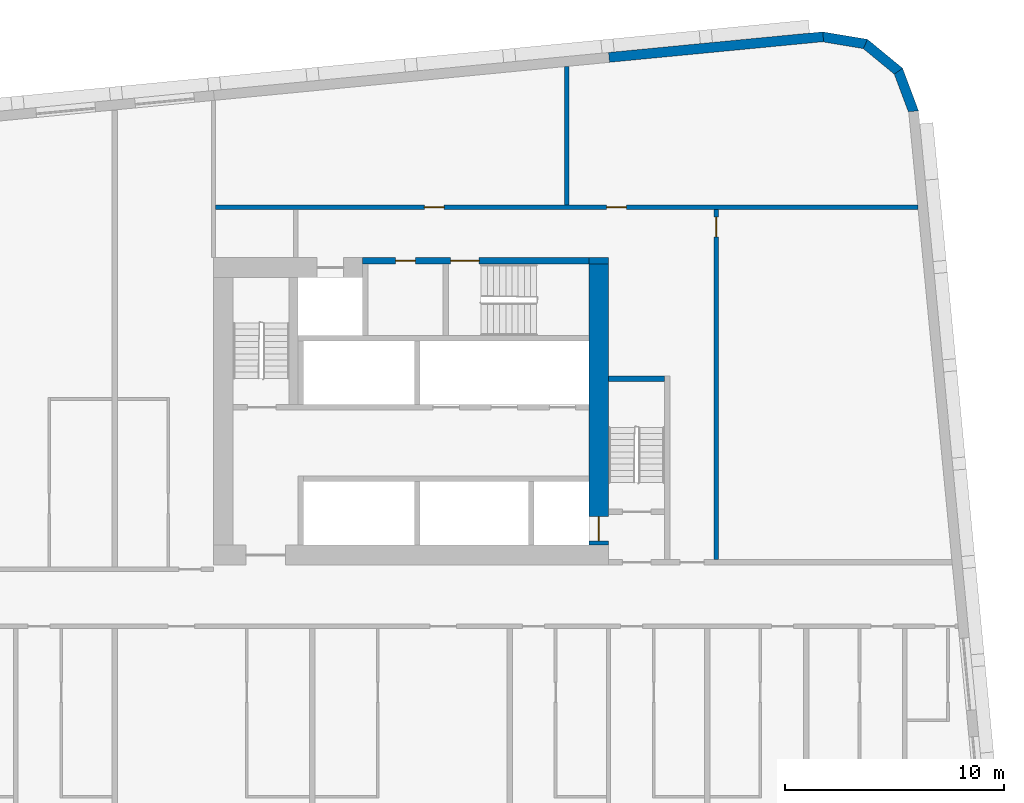
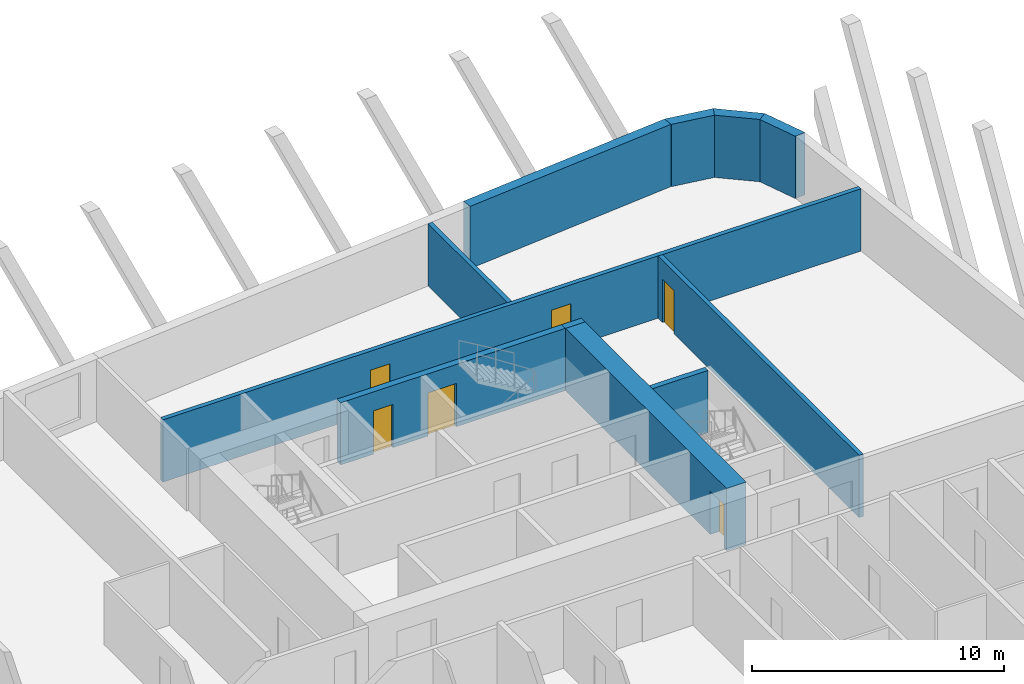
# One storey, part 8 of 13: 11 walls, 6 doors, 6 openings.
"""IFC4 building model written with IfcOpenShell, lengths in metres."""

from ifc_helpers import new_model, si_unit, direction, frame, frame_2d, origin, place, context, subcontext, project, spatial, polyline, rectangle, outline, extrude, material, layer, layer_set, type_object, element, fill, save


model = new_model("IFC4")

# Units and contexts
model_context = context("Model", 3, precision=1e-05, world=origin(), true_north=direction((0.0, 1.0)))
body_context = subcontext(model_context, "Body", "Model", "MODEL_VIEW")
ifc_project = project(units=[si_unit("LENGTHUNIT", "METRE"), si_unit("AREAUNIT", "SQUARE_METRE"), si_unit("VOLUMEUNIT", "CUBIC_METRE"), si_unit("PLANEANGLEUNIT", "RADIAN"), si_unit("MASSUNIT", "GRAM", prefix="KILO")], contexts=[model_context])

# Site, building, storey
site_placement = place(None, origin())
site = spatial("IfcSite", under=ifc_project, at=site_placement, CompositionType="ELEMENT")
building_placement = place(site_placement, origin())
building = spatial("IfcBuilding", under=site, at=building_placement, Name="Kajstack Hotel Tower", CompositionType="ELEMENT")
storey_placement = place(building_placement, frame((0.0, 0.0, 130.60009765625)))
storey = spatial("IfcBuildingStorey", under=building, at=storey_placement, Name="L29", CompositionType="ELEMENT", Elevation=130.60009765625)

# Wall
ifc_material_1 = material(Name="Concrete C60/75", Category="concrete")
ifc_layer_1 = layer(ifc_material_1, 0.89990234375)
ifc_layer_set_1 = layer_set([ifc_layer_1], Name="Core wall 900")
wall_type_1 = type_object("IfcWallType", Name="Core wall 900", PredefinedType="SHEAR", material=ifc_layer_set_1)
wall_1_placement = place(storey_placement, frame((30.60009765625, 15.35009765625, 0.0), z_axis=(0.0, 0.0, 1.0), x_axis=(1.0, 0.0, 0.0)))
element("IfcWall", 1, at=wall_1_placement, inside=storey, type_object=wall_type_1, Name="Core wall E RSW", PredefinedType="SHEAR", context=body_context, shape_type="SweptSolid", body=[
    extrude(rectangle(XDim=0.89990234375, YDim=0.300048828125, at=frame_2d((0.449951171875, 0.0))), origin(), (0.0, 0.0, 1.0), 3.02001953125),
])

# Wall, opening, door
wall_2_placement = place(storey_placement, frame((31.050048828125, 2.39990234375, 0.0), z_axis=(0.0, 0.0, 1.0), x_axis=(0.0, 1.0, 0.0)))
wall_2 = element("IfcWall", 2, at=wall_2_placement, inside=storey, type_object=wall_type_1, Name="Core wall E RW", PredefinedType="SHEAR", context=body_context, shape_type="SweptSolid", body=[
    extrude(rectangle(XDim=12.800048828125, YDim=0.89990234375, at=frame_2d((6.39990234375, 0.0))), origin(), (0.0, 0.0, 1.0), 3.02001953125),
])
opening_1_placement = place(wall_2_placement, frame((0.199951171875, 0.0, 0.0)))
opening_1 = element("IfcOpeningElement", 3, at=opening_1_placement, cuts=wall_2, Name="Opening LD-FF2", PredefinedType="OPENING", context=body_context, shape_type="SweptSolid", body=[
    extrude(rectangle(XDim=1.10009765625, YDim=2.10009765625, at=frame_2d((0.550048828125, 1.050048828125))), frame((0.0, 0.4599609375, 0.0), z_axis=(0.0, -1.0, 0.0), x_axis=(1.0, 0.0, 0.0)), (0.0, 0.0, 1.0), 0.919921875),
])
ifc_material_2 = material(Name="Stainless steel", Category="steel")
door_type_1 = type_object("IfcDoorType", Name="Fire-fighting lift landing door 1100", OperationType="SLIDING_TO_LEFT", PredefinedType="DOOR", material=ifc_material_2)
door_1_placement = place(opening_1_placement, origin())
door_1 = element("IfcDoor", 4, at=door_1_placement, inside=storey, type_object=door_type_1, Name="Landing door FF2", OperationType="SLIDING_TO_LEFT", OverallHeight=2.10009765625, OverallWidth=1.10009765625, PredefinedType="DOOR", context=body_context, shape_type="SweptSolid", body=[
    extrude(rectangle(XDim=1.10009765625, YDim=2.10009765625, at=frame_2d((0.550048828125, 1.050048828125))), frame((0.0, 0.02490234375, 0.0), z_axis=(0.0, -1.0, 0.0), x_axis=(1.0, 0.0, 0.0)), (0.0, 0.0, 1.0), 0.050048828125),
])
fill(opening_1, door_1)

# Walls
ifc_material_3 = material(Name="Terracotta-faced brick masonry", Category="masonry")
ifc_layer_2 = layer(ifc_material_3, 0.449951171875)
ifc_layer_set_2 = layer_set([ifc_layer_2], Name="EW-TERRA")
wall_type_2 = type_object("IfcWallType", Name="EW-TERRA", PredefinedType="SOLIDWALL", material=ifc_layer_set_2)
wall_3_placement = place(storey_placement, frame((45.41162109375, 22.10986328125, 0.0), z_axis=(0.0, 0.0, 1.0), x_axis=(-0.350192909346, 0.936677599948, 0.0)))
element("IfcWall", 5, at=wall_3_placement, inside=storey, type_object=wall_type_2, Name="E-wall-L29-09-00", PredefinedType="SOLIDWALL", context=body_context, shape_type="SweptSolid", body=[
    extrude(outline(polyline([(0.0, -0.22509765625), (2.070556640625, -0.22509765625), (1.949951171875, 0.224853515625), (0.12060546875, 0.224853515625), (0.0, -0.22509765625)])), origin(), (0.0, 0.0, 1.0), 3.02001953125),
])
wall_4_placement = place(storey_placement, frame((44.754150390625, 23.95458984375, 0.0), z_axis=(0.0, 0.0, 1.0), x_axis=(-0.771651049663, 0.636046112757, 0.0)))
element("IfcWall", 6, at=wall_4_placement, inside=storey, type_object=wall_type_2, Name="E-wall-L29-10-00", PredefinedType="SOLIDWALL", context=body_context, shape_type="SweptSolid", body=[
    extrude(outline(polyline([(0.0, -0.22509765625), (2.070556640625, -0.22509765625), (1.949951171875, 0.224853515625), (0.12060546875, 0.22509765625), (0.0, -0.22509765625)])), origin(), (0.0, 0.0, 1.0), 3.02001953125),
])
wall_5_placement = place(storey_placement, frame((43.262451171875, 25.223388671875, 0.0), z_axis=(0.0, 0.0, 1.0), x_axis=(-0.986298144721, 0.164972633245, 0.0)))
element("IfcWall", 7, at=wall_5_placement, inside=storey, type_object=wall_type_2, Name="E-wall-L29-11-00", PredefinedType="SOLIDWALL", context=body_context, shape_type="SweptSolid", body=[
    extrude(outline(polyline([(0.0, -0.224853515625), (2.070556640625, -0.22509765625), (1.949951171875, 0.22509765625), (0.12060546875, 0.22509765625), (0.0, -0.224853515625)])), origin(), (0.0, 0.0, 1.0), 3.02001953125),
])
wall_6_placement = place(storey_placement, frame((41.279052734375, 25.56298828125, 0.0), z_axis=(0.0, 0.0, 1.0), x_axis=(-0.995394735506, -0.095860943703, 0.0)))
element("IfcWall", 8, at=wall_6_placement, inside=storey, type_object=wall_type_2, Name="E-wall-L29-12-00", PredefinedType="SOLIDWALL", context=body_context, shape_type="SweptSolid", body=[
    extrude(rectangle(XDim=9.802734375, YDim=0.449951171875, at=frame_2d((4.9013671875, 0.0))), origin(), (0.0, 0.0, 1.0), 3.02001953125),
])

# Wall, opening, door
ifc_material_4 = material(Name="Gypsum board on steel studs, mineral wool", Category="steel")
ifc_layer_3 = layer(ifc_material_4, 0.199951171875)
ifc_layer_set_3 = layer_set([ifc_layer_3], Name="Service partition 200")
wall_type_3 = type_object("IfcWallType", Name="Service partition 200", PredefinedType="PARTITIONING", material=ifc_layer_set_3)
wall_7_placement = place(storey_placement, frame((36.39990234375, 1.75, 0.0), z_axis=(0.0, 0.0, 1.0), x_axis=(0.0, 1.0, 0.0)))
wall_7 = element("IfcWall", 9, at=wall_7_placement, inside=storey, type_object=wall_type_3, Name="Partition E WRE", PredefinedType="PARTITIONING", context=body_context, shape_type="SweptSolid", body=[
    extrude(rectangle(XDim=15.949951171875, YDim=0.199951171875, at=frame_2d((7.97509765625, 0.0))), origin(), (0.0, 0.0, 1.0), 3.02001953125),
])
opening_2_placement = place(wall_7_placement, frame((14.699951171875, 0.0, 0.0)))
opening_2 = element("IfcOpeningElement", 10, at=opening_2_placement, cuts=wall_7, Name="Opening 29E15", PredefinedType="OPENING", context=body_context, shape_type="SweptSolid", body=[
    extrude(rectangle(XDim=0.89990234375, YDim=2.10009765625, at=frame_2d((0.449951171875, 1.050048828125))), frame((0.0, 0.10986328125, 0.0), z_axis=(0.0, -1.0, 0.0), x_axis=(1.0, 0.0, 0.0)), (0.0, 0.0, 1.0), 0.219970703125),
])
ifc_material_5 = material(Name="Timber leaf, fire-rated", Category="wood")
door_type_2 = type_object("IfcDoorType", Name="Service door 900", OperationType="SINGLE_SWING_LEFT", PredefinedType="DOOR", material=ifc_material_5)
door_2_placement = place(opening_2_placement, origin())
door_2 = element("IfcDoor", 11, at=door_2_placement, inside=storey, type_object=door_type_2, Name="Door 29E15", OperationType="SINGLE_SWING_RIGHT", OverallHeight=2.10009765625, OverallWidth=0.89990234375, PredefinedType="DOOR", context=body_context, shape_type="SweptSolid", body=[
    extrude(rectangle(XDim=0.89990234375, YDim=2.10009765625, at=frame_2d((0.449951171875, 1.050048828125))), frame((0.0, 0.02490234375, 0.0), z_axis=(0.0, -1.0, 0.0), x_axis=(1.0, 0.0, 0.0)), (0.0, 0.0, 1.0), 0.050048828125),
])
fill(opening_2, door_2)

# Wall, openings, doors
wall_8_placement = place(storey_placement, frame((13.60009765625, 17.800048828125, 0.0), z_axis=(0.0, 0.0, 1.0), x_axis=(1.0, 0.0, 0.0)))
wall_8 = element("IfcWall", 12, at=wall_8_placement, inside=storey, type_object=wall_type_3, Name="Partition E SLN", PredefinedType="PARTITIONING", context=body_context, shape_type="SweptSolid", body=[
    extrude(rectangle(XDim=31.992919921875, YDim=0.199951171875, at=frame_2d((15.99658203125, 0.0))), origin(), (0.0, 0.0, 1.0), 3.02001953125),
])
opening_3_placement = place(wall_8_placement, frame((17.8125, 0.0, 0.0)))
opening_3 = element("IfcOpeningElement", 13, at=opening_3_placement, cuts=wall_8, Name="Opening 29E13", PredefinedType="OPENING", context=body_context, shape_type="SweptSolid", body=[
    extrude(rectangle(XDim=0.89990234375, YDim=2.10009765625, at=frame_2d((0.449951171875, 1.050048828125))), frame((0.0, 0.10986328125, 0.0), z_axis=(0.0, -1.0, 0.0), x_axis=(1.0, 0.0, 0.0)), (0.0, 0.0, 1.0), 0.219970703125),
])
opening_4_placement = place(wall_8_placement, frame((9.512451171875, 0.0, 0.0)))
opening_4 = element("IfcOpeningElement", 14, at=opening_4_placement, cuts=wall_8, Name="Opening 29E14", PredefinedType="OPENING", context=body_context, shape_type="SweptSolid", body=[
    extrude(rectangle(XDim=0.89990234375, YDim=2.10009765625, at=frame_2d((0.449951171875, 1.050048828125))), frame((0.0, 0.10986328125, 0.0), z_axis=(0.0, -1.0, 0.0), x_axis=(1.0, 0.0, 0.0)), (0.0, 0.0, 1.0), 0.219970703125),
])
door_3_placement = place(opening_3_placement, origin())
door_3 = element("IfcDoor", 15, at=door_3_placement, inside=storey, type_object=door_type_2, Name="Door 29E13", OperationType="SINGLE_SWING_LEFT", OverallHeight=2.10009765625, OverallWidth=0.89990234375, PredefinedType="DOOR", context=body_context, shape_type="SweptSolid", body=[
    extrude(rectangle(XDim=0.89990234375, YDim=2.10009765625, at=frame_2d((0.449951171875, 1.050048828125))), frame((0.0, 0.02490234375, 0.0), z_axis=(0.0, -1.0, 0.0), x_axis=(1.0, 0.0, 0.0)), (0.0, 0.0, 1.0), 0.050048828125),
])
fill(opening_3, door_3)
door_4_placement = place(opening_4_placement, origin())
door_4 = element("IfcDoor", 16, at=door_4_placement, inside=storey, type_object=door_type_2, Name="Door 29E14", OperationType="SINGLE_SWING_LEFT", OverallHeight=2.10009765625, OverallWidth=0.89990234375, PredefinedType="DOOR", context=body_context, shape_type="SweptSolid", body=[
    extrude(rectangle(XDim=0.89990234375, YDim=2.10009765625, at=frame_2d((0.449951171875, 1.050048828125))), frame((0.0, 0.02490234375, 0.0), z_axis=(0.0, -1.0, 0.0), x_axis=(1.0, 0.0, 0.0)), (0.0, 0.0, 1.0), 0.050048828125),
])
fill(opening_4, door_4)

# Wall
wall_9_placement = place(storey_placement, frame((29.60009765625, 17.89990234375, 0.0), z_axis=(0.0, 0.0, 1.0), x_axis=(0.0, 1.0, 0.0)))
element("IfcWall", 17, at=wall_9_placement, inside=storey, type_object=wall_type_3, Name="Partition E SLP0", PredefinedType="PARTITIONING", context=body_context, shape_type="SweptSolid", body=[
    extrude(rectangle(XDim=6.3134765625, YDim=0.199951171875, at=frame_2d((3.15673828125, 0.0))), origin(), (0.0, 0.0, 1.0), 3.02001953125),
])

# Wall, openings, doors
ifc_material_6 = material(Name="Concrete C50/60", Category="concrete")
ifc_layer_4 = layer(ifc_material_6, 0.25)
ifc_layer_set_4 = layer_set([ifc_layer_4], Name="Shaft wall 250")
wall_type_4 = type_object("IfcWallType", Name="Shaft wall 250", PredefinedType="SHEAR", material=ifc_layer_set_4)
wall_10_placement = place(storey_placement, frame((20.300048828125, 15.35009765625, 0.0), z_axis=(0.0, 0.0, 1.0), x_axis=(1.0, 0.0, 0.0)))
wall_10 = element("IfcWall", 18, at=wall_10_placement, inside=storey, type_object=wall_type_4, Name="Core wall E RSS", PredefinedType="SHEAR", context=body_context, shape_type="SweptSolid", body=[
    extrude(rectangle(XDim=10.300048828125, YDim=0.300048828125, at=frame_2d((5.14990234375, 0.0))), origin(), (0.0, 0.0, 1.0), 3.02001953125),
])
opening_5_placement = place(wall_10_placement, frame((4.0, 0.0, 0.0)))
opening_5 = element("IfcOpeningElement", 19, at=opening_5_placement, cuts=wall_10, Name="Opening 29E11", PredefinedType="OPENING", context=body_context, shape_type="SweptSolid", body=[
    extrude(rectangle(XDim=1.300048828125, YDim=2.10009765625, at=frame_2d((0.64990234375, 1.050048828125))), frame((0.0, 0.159912109375, 0.0), z_axis=(0.0, -1.0, 0.0), x_axis=(1.0, 0.0, 0.0)), (0.0, 0.0, 1.0), 0.320068359375),
])
opening_6_placement = place(wall_10_placement, frame((1.5, 0.0, 0.0)))
opening_6 = element("IfcOpeningElement", 20, at=opening_6_placement, cuts=wall_10, Name="Opening 29E12", PredefinedType="OPENING", context=body_context, shape_type="SweptSolid", body=[
    extrude(rectangle(XDim=0.89990234375, YDim=2.10009765625, at=frame_2d((0.449951171875, 1.050048828125))), frame((0.0, 0.159912109375, 0.0), z_axis=(0.0, -1.0, 0.0), x_axis=(1.0, 0.0, 0.0)), (0.0, 0.0, 1.0), 0.320068359375),
])
door_5_placement = place(opening_6_placement, origin())
door_5 = element("IfcDoor", 21, at=door_5_placement, inside=storey, type_object=door_type_2, Name="Door 29E12", OperationType="SINGLE_SWING_RIGHT", OverallHeight=2.10009765625, OverallWidth=0.89990234375, PredefinedType="DOOR", context=body_context, shape_type="SweptSolid", body=[
    extrude(rectangle(XDim=0.89990234375, YDim=2.10009765625, at=frame_2d((0.449951171875, 1.050048828125))), frame((0.0, 0.02490234375, 0.0), z_axis=(0.0, -1.0, 0.0), x_axis=(1.0, 0.0, 0.0)), (0.0, 0.0, 1.0), 0.050048828125),
])
fill(opening_6, door_5)
ifc_material_7 = material(Name="Steel leaf, fire-rated", Category="steel")
door_type_3 = type_object("IfcDoorType", Name="Stair door 1300", OperationType="SINGLE_SWING_LEFT", PredefinedType="DOOR", material=ifc_material_7)
door_6_placement = place(opening_5_placement, origin())
door_6 = element("IfcDoor", 22, at=door_6_placement, inside=storey, type_object=door_type_3, Name="Door 29E11", OperationType="SINGLE_SWING_LEFT", OverallHeight=2.10009765625, OverallWidth=1.300048828125, PredefinedType="DOOR", context=body_context, shape_type="SweptSolid", body=[
    extrude(rectangle(XDim=1.300048828125, YDim=2.10009765625, at=frame_2d((0.64990234375, 1.050048828125))), frame((0.0, 0.02490234375, 0.0), z_axis=(0.0, -1.0, 0.0), x_axis=(1.0, 0.0, 0.0)), (0.0, 0.0, 1.0), 0.050048828125),
])
fill(opening_5, door_6)

# Wall
ifc_material_8 = material(Name="Concrete C40/50", Category="concrete")
ifc_layer_5 = layer(ifc_material_8, 0.25)
ifc_layer_set_5 = layer_set([ifc_layer_5], Name="Stair enclosure wall 250")
wall_type_5 = type_object("IfcWallType", Name="Stair enclosure wall 250", PredefinedType="SHEAR", material=ifc_layer_set_5)
wall_11_placement = place(storey_placement, frame((31.5, 9.97509765625, 0.0), z_axis=(0.0, 0.0, 1.0), x_axis=(1.0, 0.0, 0.0)))
element("IfcWall", 23, at=wall_11_placement, inside=storey, type_object=wall_type_5, Name="Core wall E W1S", PredefinedType="SHEAR", context=body_context, shape_type="SweptSolid", body=[
    extrude(rectangle(XDim=2.550048828125, YDim=0.25, at=frame_2d((1.27490234375, 0.0))), origin(), (0.0, 0.0, 1.0), 3.02001953125),
])

save(model, "model.ifc")
